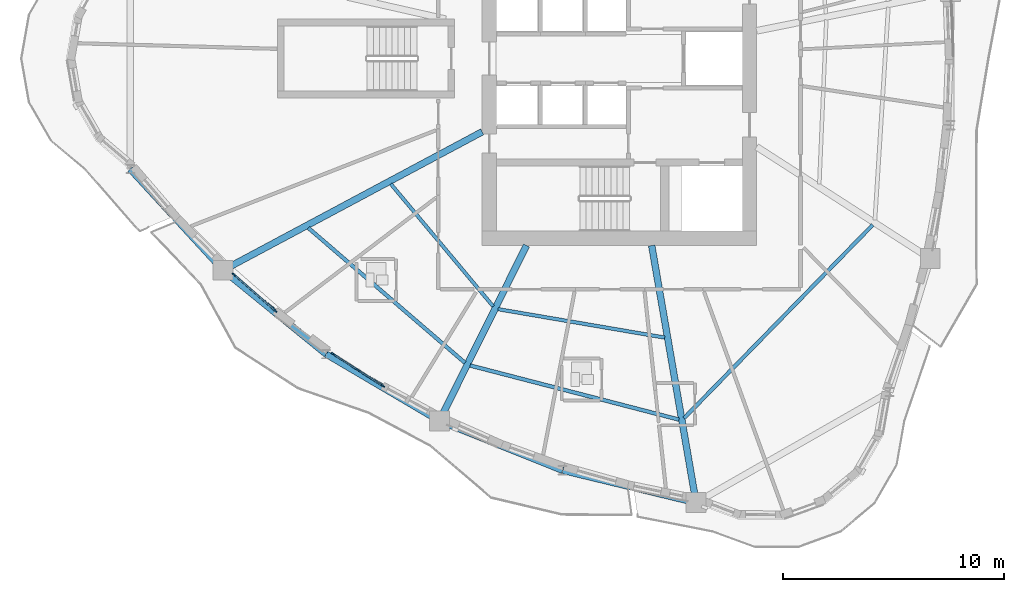
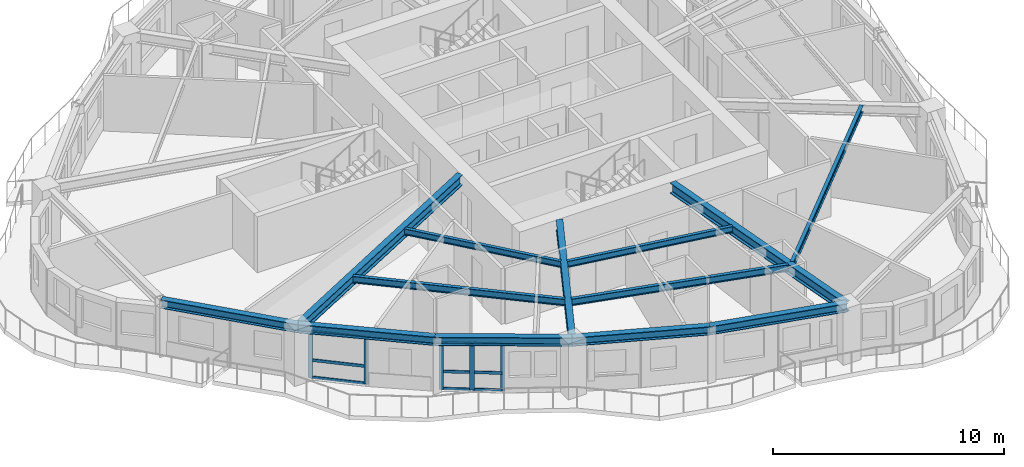
# One storey, part 2 of 15: 14 members, 13 beams, 2 elements without a shape of their own.
"""IFC4 building model written with IfcOpenShell, lengths in metres."""

from ifc_helpers import new_model, si_unit, direction, frame, origin, origin_2d, place, context, subcontext, project, spatial, rectangle, i_section, extrude, source, transform, mapped, material, layer, layer_set, material_profile, profile_set, type_object, element, aggregate, save


model = new_model("IFC4")

# Units and contexts
model_context = context("Model", 3, precision=1e-05, world=origin(), true_north=direction((0.0, 1.0)))
body_context = subcontext(model_context, "Body", "Model", "MODEL_VIEW")
ifc_project = project(units=[si_unit("LENGTHUNIT", "METRE"), si_unit("AREAUNIT", "SQUARE_METRE"), si_unit("VOLUMEUNIT", "CUBIC_METRE"), si_unit("PLANEANGLEUNIT", "RADIAN"), si_unit("MASSUNIT", "GRAM", prefix="KILO")], contexts=[model_context])

# Site, building, storey
site_placement = place(None, origin())
site = spatial("IfcSite", under=ifc_project, at=site_placement, CompositionType="ELEMENT")
building_placement = place(site_placement, origin())
building = spatial("IfcBuilding", under=site, at=building_placement, Name="Qafzar Sky-Pleat Residences", CompositionType="ELEMENT")
storey_placement = place(building_placement, frame((0.0, 0.0, 70.39990234375)))
storey = spatial("IfcBuildingStorey", under=building, at=storey_placement, Name="L20", CompositionType="ELEMENT", Elevation=70.39990234375)

# Beams
ifc_material_1 = material(Name="Steel S355", Category="steel")
ifc_material_profile_1 = material_profile(ifc_material_1, i_section(OverallWidth=0.300048828125, OverallDepth=0.449951171875, WebThickness=0.013916015625, FlangeThickness=0.02587890625, FilletRadius=0.027099609375, at=origin_2d()), Name="HEB 450")
ifc_profile_set_1 = profile_set([ifc_material_profile_1], Name="Steel S355")
beam_type_1 = type_object("IfcBeamType", Name="BM-SPAN-HEB450", PredefinedType="SPANDREL", material=ifc_profile_set_1)
shared_shape_1 = source(origin(), body_context, "Body", "SweptSolid", [
    extrude(i_section(OverallWidth=0.300048828125, OverallDepth=0.449951171875, WebThickness=0.013916015625, FlangeThickness=0.02587890625, FilletRadius=0.027099609375, at=origin_2d()), origin(), (0.0, 0.0, 1.0), 6.20166015625),
])
beam_1_placement = place(storey_placement, frame((8.255859375, 21.00341796875, 2.72314453125), z_axis=(0.676513948363, -0.736429818564, 0.0), x_axis=(0.736429818564, 0.676513948363, 0.0)))
element("IfcBeam", 1, at=beam_1_placement, inside=storey, type_object=beam_type_1, Name="L20 Perimeter Spandrel Beam 2", PredefinedType="SPANDREL", context=body_context, shape_type="MappedRepresentation", body=[
    mapped(shared_shape_1, transform((0.0, 0.0, 0.0), x_axis=(1.0, 0.0, 0.0), y_axis=(0.0, 1.0, 0.0), z_axis=(0.0, 0.0, 1.0), scale=1.0)),
])
shared_shape_2 = source(origin(), body_context, "Body", "SweptSolid", [
    extrude(i_section(OverallWidth=0.300048828125, OverallDepth=0.449951171875, WebThickness=0.013916015625, FlangeThickness=0.02587890625, FilletRadius=0.027099609375, at=origin_2d()), origin(), (0.0, 0.0, 1.0), 6.002197265625),
])
for number, where, z_axis, x_axis, name in (
    (2, (12.451416015625, 16.436279296875, 2.72314453125), (0.775354482876, -0.631526266978, 0.0), (0.631526266978, 0.775354482876, 0.0), "L20 Perimeter Spandrel Beam 3"),
    (3, (22.217041015625, 9.632568359375, 2.72314453125), (0.927979334947, -0.372631659834, 0.0), (0.372631659834, 0.927979334947, 0.0), "L20 Perimeter Spandrel Beam 5"),
):
    element("IfcBeam", number, at=place(storey_placement, frame(where, z_axis=z_axis, x_axis=x_axis)), inside=storey, type_object=beam_type_1, Name=name, PredefinedType="SPANDREL", context=body_context, shape_type="MappedRepresentation", body=[
        mapped(shared_shape_2, transform((0.0, 0.0, 0.0), x_axis=(1.0, 0.0, 0.0), y_axis=(0.0, 1.0, 0.0), z_axis=(0.0, 0.0, 1.0), scale=1.0)),
    ])
shared_shape_3 = source(origin(), body_context, "Body", "SweptSolid", [
    extrude(i_section(OverallWidth=0.300048828125, OverallDepth=0.449951171875, WebThickness=0.013916015625, FlangeThickness=0.02587890625, FilletRadius=0.027099609375, at=origin_2d()), origin(), (0.0, 0.0, 1.0), 5.933837890625),
])
beam_2_placement = place(storey_placement, frame((17.105224609375, 12.645751953125, 2.72314453125), z_axis=(0.861474825081, -0.507800281362, 0.0), x_axis=(0.507800281362, 0.861474825081, 0.0)))
element("IfcBeam", 4, at=beam_2_placement, inside=storey, type_object=beam_type_1, Name="L20 Perimeter Spandrel Beam 4", PredefinedType="SPANDREL", context=body_context, shape_type="MappedRepresentation", body=[
    mapped(shared_shape_3, transform((0.0, 0.0, 0.0), x_axis=(1.0, 0.0, 0.0), y_axis=(0.0, 1.0, 0.0), z_axis=(0.0, 0.0, 1.0), scale=1.0)),
])
shared_shape_4 = source(origin(), body_context, "Body", "SweptSolid", [
    extrude(i_section(OverallWidth=0.300048828125, OverallDepth=0.449951171875, WebThickness=0.013916015625, FlangeThickness=0.02587890625, FilletRadius=0.027099609375, at=origin_2d()), origin(), (0.0, 0.0, 1.0), 6.201904296875),
])
beam_3_placement = place(storey_placement, frame((27.786865234375, 7.39599609375, 2.72314453125), z_axis=(0.971926258737, -0.235285672275, 0.0), x_axis=(0.235285672275, 0.971926258737, 0.0)))
element("IfcBeam", 5, at=beam_3_placement, inside=storey, type_object=beam_type_1, Name="L20 Perimeter Spandrel Beam 6", PredefinedType="SPANDREL", context=body_context, shape_type="MappedRepresentation", body=[
    mapped(shared_shape_4, transform((0.0, 0.0, 0.0), x_axis=(1.0, 0.0, 0.0), y_axis=(0.0, 1.0, 0.0), z_axis=(0.0, 0.0, 1.0), scale=1.0)),
])
ifc_material_profile_2 = material_profile(ifc_material_1, i_section(OverallWidth=0.300048828125, OverallDepth=0.550048828125, WebThickness=0.014892578125, FlangeThickness=0.029052734375, FilletRadius=0.027099609375, at=origin_2d()), Name="HEB 550")
ifc_profile_set_2 = profile_set([ifc_material_profile_2], Name="Steel S355")
beam_type_2 = type_object("IfcBeamType", Name="BM-GIRD-HEB550", PredefinedType="BEAM", material=ifc_profile_set_2)
shared_shape_5 = source(origin(), body_context, "Body", "SweptSolid", [
    extrude(i_section(OverallWidth=0.300048828125, OverallDepth=0.550048828125, WebThickness=0.014892578125, FlangeThickness=0.029052734375, FilletRadius=0.027099609375, at=origin_2d()), origin(), (0.0, 0.0, 1.0), 13.263671875),
])
beam_4_placement = place(storey_placement, frame((12.451416015625, 16.436279296875, 2.673095703125), z_axis=(0.881991426805, 0.471265448598, 0.0), x_axis=(-0.471265448598, 0.881991426805, 0.0)))
element("IfcBeam", 6, at=beam_4_placement, inside=storey, type_object=beam_type_2, Name="L20 Radial Floor Girder 3", PredefinedType="BEAM", context=body_context, shape_type="MappedRepresentation", body=[
    mapped(shared_shape_5, transform((0.0, 0.0, 0.0), x_axis=(1.0, 0.0, 0.0), y_axis=(0.0, 1.0, 0.0), z_axis=(0.0, 0.0, 1.0), scale=1.0)),
])
shared_shape_6 = source(origin(), body_context, "Body", "SweptSolid", [
    extrude(i_section(OverallWidth=0.300048828125, OverallDepth=0.550048828125, WebThickness=0.014892578125, FlangeThickness=0.029052734375, FilletRadius=0.027099609375, at=origin_2d()), origin(), (0.0, 0.0, 1.0), 8.841064453125),
])
beam_5_placement = place(storey_placement, frame((22.217041015625, 9.632568359375, 2.673095703125), z_axis=(0.444980947877, 0.895540035971, 0.0), x_axis=(-0.895540035971, 0.444980947877, 0.0)))
element("IfcBeam", 7, at=beam_5_placement, inside=storey, type_object=beam_type_2, Name="L20 Radial Floor Girder 5", PredefinedType="BEAM", context=body_context, shape_type="MappedRepresentation", body=[
    mapped(shared_shape_6, transform((0.0, 0.0, 0.0), x_axis=(1.0, 0.0, 0.0), y_axis=(0.0, 1.0, 0.0), z_axis=(0.0, 0.0, 1.0), scale=1.0)),
])
shared_shape_7 = source(origin(), body_context, "Body", "SweptSolid", [
    extrude(i_section(OverallWidth=0.300048828125, OverallDepth=0.550048828125, WebThickness=0.014892578125, FlangeThickness=0.029052734375, FilletRadius=0.027099609375, at=origin_2d()), origin(), (0.0, 0.0, 1.0), 11.78515625),
])
beam_6_placement = place(storey_placement, frame((33.814697265625, 5.936767578125, 2.673095703125), z_axis=(-0.170180928842, 0.985412833009, 0.0), x_axis=(-0.985412833009, -0.170180928842, 0.0)))
element("IfcBeam", 8, at=beam_6_placement, inside=storey, type_object=beam_type_2, Name="L20 Radial Floor Girder 7", PredefinedType="BEAM", context=body_context, shape_type="MappedRepresentation", body=[
    mapped(shared_shape_7, transform((0.0, 0.0, 0.0), x_axis=(1.0, 0.0, 0.0), y_axis=(0.0, 1.0, 0.0), z_axis=(0.0, 0.0, 1.0), scale=1.0)),
])
ifc_material_profile_3 = material_profile(ifc_material_1, i_section(OverallWidth=0.169921875, OverallDepth=0.360107421875, WebThickness=0.008056640625, FlangeThickness=0.0126953125, FilletRadius=0.01806640625, at=origin_2d()), Name="IPE 360")
ifc_profile_set_3 = profile_set([ifc_material_profile_3], Name="Steel S355")
beam_type_3 = type_object("IfcBeamType", Name="BM-JST-IPE360", PredefinedType="JOIST", material=ifc_profile_set_3)
shared_shape_8 = source(origin(), body_context, "Body", "SweptSolid", [
    extrude(i_section(OverallWidth=0.169921875, OverallDepth=0.360107421875, WebThickness=0.008056640625, FlangeThickness=0.0126953125, FilletRadius=0.01806640625, at=origin_2d()), origin(), (0.0, 0.0, 1.0), 9.3388671875),
])
beam_7_placement = place(storey_placement, frame((16.29736328125, 18.348388671875, 2.76806640625), z_axis=(0.757733971928, -0.652563581413, 0.0), x_axis=(0.652563581413, 0.757733971928, 0.0)))
element("IfcBeam", 9, at=beam_7_placement, inside=storey, type_object=beam_type_3, Name="L20 Outer Secondary Floor Joist 2", PredefinedType="JOIST", context=body_context, shape_type="MappedRepresentation", body=[
    mapped(shared_shape_8, transform((0.0, 0.0, 0.0), x_axis=(1.0, 0.0, 0.0), y_axis=(0.0, 1.0, 0.0), z_axis=(0.0, 0.0, 1.0), scale=1.0)),
])
shared_shape_9 = source(origin(), body_context, "Body", "SweptSolid", [
    extrude(i_section(OverallWidth=0.169921875, OverallDepth=0.360107421875, WebThickness=0.008056640625, FlangeThickness=0.0126953125, FilletRadius=0.01806640625, at=origin_2d()), origin(), (0.0, 0.0, 1.0), 9.747314453125),
])
beam_8_placement = place(storey_placement, frame((23.606689453125, 12.132080078125, 2.76806640625), z_axis=(0.968020331334, -0.25087175633, 0.0), x_axis=(0.25087175633, 0.968020331334, 0.0)))
element("IfcBeam", 10, at=beam_8_placement, inside=storey, type_object=beam_type_3, Name="L20 Outer Secondary Floor Joist 3", PredefinedType="JOIST", context=body_context, shape_type="MappedRepresentation", body=[
    mapped(shared_shape_9, transform((0.0, 0.0, 0.0), x_axis=(1.0, 0.0, 0.0), y_axis=(0.0, 1.0, 0.0), z_axis=(0.0, 0.0, 1.0), scale=1.0)),
])
shared_shape_10 = source(origin(), body_context, "Body", "SweptSolid", [
    extrude(i_section(OverallWidth=0.169921875, OverallDepth=0.360107421875, WebThickness=0.008056640625, FlangeThickness=0.0126953125, FilletRadius=0.01806640625, at=origin_2d()), origin(), (0.0, 0.0, 1.0), 12.19873046875),
])
beam_9_placement = place(storey_placement, frame((33.26708984375, 9.74951171875, 2.76806640625), z_axis=(0.698529648879, 0.715581113248, 0.0), x_axis=(-0.715581113248, 0.698529648879, 0.0)))
element("IfcBeam", 11, at=beam_9_placement, inside=storey, type_object=beam_type_3, Name="L20 Outer Secondary Floor Joist 4", PredefinedType="JOIST", context=body_context, shape_type="MappedRepresentation", body=[
    mapped(shared_shape_10, transform((0.0, 0.0, 0.0), x_axis=(1.0, 0.0, 0.0), y_axis=(0.0, 1.0, 0.0), z_axis=(0.0, 0.0, 1.0), scale=1.0)),
])
ifc_material_profile_4 = material_profile(ifc_material_1, i_section(OverallWidth=0.159912109375, OverallDepth=0.330078125, WebThickness=0.007568359375, FlangeThickness=0.011474609375, FilletRadius=0.01806640625, at=origin_2d()), Name="IPE 330")
ifc_profile_set_4 = profile_set([ifc_material_profile_4], Name="Steel S355")
beam_type_4 = type_object("IfcBeamType", Name="BM-JST-IPE330", PredefinedType="JOIST", material=ifc_profile_set_4)
shared_shape_11 = source(origin(), body_context, "Body", "SweptSolid", [
    extrude(i_section(OverallWidth=0.159912109375, OverallDepth=0.330078125, WebThickness=0.007568359375, FlangeThickness=0.011474609375, FilletRadius=0.01806640625, at=origin_2d()), origin(), (0.0, 0.0, 1.0), 7.2080078125),
])
beam_10_placement = place(storey_placement, frame((20.025146484375, 20.333251953125, 2.783203125), z_axis=(0.641386322743, -0.767218081772, 0.0), x_axis=(0.767218081772, 0.641386322743, 0.0)))
element("IfcBeam", 12, at=beam_10_placement, inside=storey, type_object=beam_type_4, Name="L20 Inner Secondary Floor Joist 2", PredefinedType="JOIST", context=body_context, shape_type="MappedRepresentation", body=[
    mapped(shared_shape_11, transform((0.0, 0.0, 0.0), x_axis=(1.0, 0.0, 0.0), y_axis=(0.0, 1.0, 0.0), z_axis=(0.0, 0.0, 1.0), scale=1.0)),
])
shared_shape_12 = source(origin(), body_context, "Body", "SweptSolid", [
    extrude(i_section(OverallWidth=0.159912109375, OverallDepth=0.330078125, WebThickness=0.007568359375, FlangeThickness=0.011474609375, FilletRadius=0.01806640625, at=origin_2d()), origin(), (0.0, 0.0, 1.0), 7.63916015625),
])
beam_11_placement = place(storey_placement, frame((24.867919921875, 14.677001953125, 2.783203125), z_axis=(0.985747285865, -0.168232839865, 0.0), x_axis=(0.168232839865, 0.985747285865, 0.0)))
element("IfcBeam", 13, at=beam_11_placement, inside=storey, type_object=beam_type_4, Name="L20 Inner Secondary Floor Joist 3", PredefinedType="JOIST", context=body_context, shape_type="MappedRepresentation", body=[
    mapped(shared_shape_12, transform((0.0, 0.0, 0.0), x_axis=(1.0, 0.0, 0.0), y_axis=(0.0, 1.0, 0.0), z_axis=(0.0, 0.0, 1.0), scale=1.0)),
])

# Curtain wall, members
ifc_material_2 = material(Name="Anodised bronze aluminium framing", Category="aluminium")
ifc_layer = layer(ifc_material_2, 0.199951171875)
ifc_layer_set = layer_set([ifc_layer], Name="Anodised bronze aluminium framing")
curtain_wall_type = type_object("IfcCurtainWallType", Name="CW-SYS-04", PredefinedType="NOTDEFINED", material=ifc_layer_set)
curtain_wall_1_placement = place(storey_placement, origin())
curtain_wall_1 = element("IfcCurtainWall", 14, at=curtain_wall_1_placement, inside=storey, type_object=curtain_wall_type, Name="L20 CW-04 Curtain Wall CW-L20-WG-01", PredefinedType="NOTDEFINED")
ifc_material_3 = material(Name="Anodised bronze aluminium", Category="aluminium")
ifc_material_profile_5 = material_profile(ifc_material_3, rectangle(XDim=0.06494140625, YDim=0.199951171875, at=origin_2d()), Name="ALU MULLION 65x200")
ifc_profile_set_5 = profile_set([ifc_material_profile_5], Name="Anodised bronze aluminium")
member_type_1 = type_object("IfcMemberType", Name="CWM-04", PredefinedType="MULLION", material=ifc_profile_set_5)
shared_shape_13 = source(origin(), body_context, "Body", "SweptSolid", [
    extrude(rectangle(XDim=0.06494140625, YDim=0.199951171875, at=origin_2d()), origin(), (0.0, 0.0, 1.0), 2.47998046875),
])
member_1_placement = place(storey_placement, frame((12.944580078125, 16.236328125, 0.0), z_axis=(0.0, 0.0, 1.0), x_axis=(0.659726592573, 0.751505703938, 0.0)))
member_1 = element("IfcMember", 15, at=member_1_placement, type_object=member_type_1, Name="CW-04 mullion 1", PredefinedType="MULLION", context=body_context, shape_type="MappedRepresentation", body=[
    mapped(shared_shape_13, transform((0.0, 0.0, 0.0), x_axis=(1.0, 0.0, 0.0), y_axis=(0.0, 1.0, 0.0), z_axis=(0.0, 0.0, 1.0), scale=1.0)),
])
member_2_placement = place(storey_placement, frame((14.797119140625, 14.610107421875, 0.0), z_axis=(0.0, 0.0, 1.0), x_axis=(0.659726592573, 0.751505703938, 0.0)))
member_2 = element("IfcMember", 16, at=member_2_placement, type_object=member_type_1, Name="CW-04 mullion 2", PredefinedType="MULLION", context=body_context, shape_type="MappedRepresentation", body=[
    mapped(shared_shape_13, transform((0.0, 0.0, 0.0), x_axis=(1.0, 0.0, 0.0), y_axis=(0.0, 1.0, 0.0), z_axis=(0.0, 0.0, 1.0), scale=1.0)),
])

curtain_wall_2_placement = place(storey_placement, origin())
curtain_wall_2 = element("IfcCurtainWall", 17, at=curtain_wall_2_placement, inside=storey, type_object=curtain_wall_type, Name="L20 CW-04 Curtain Wall CW-L20-WG-02", PredefinedType="NOTDEFINED")
member_3_placement = place(storey_placement, frame((17.4189453125, 12.65234375, 0.0), z_axis=(0.0, 0.0, 1.0), x_axis=(0.540148225741, 0.841569898599, 0.0)))
member_3 = element("IfcMember", 18, at=member_3_placement, type_object=member_type_1, Name="CW-04 mullion 1", PredefinedType="MULLION", context=body_context, shape_type="MappedRepresentation", body=[
    mapped(shared_shape_13, transform((0.0, 0.0, 0.0), x_axis=(1.0, 0.0, 0.0), y_axis=(0.0, 1.0, 0.0), z_axis=(0.0, 0.0, 1.0), scale=1.0)),
])
member_4_placement = place(storey_placement, frame((18.53662109375, 11.93505859375, 0.0), z_axis=(0.0, 0.0, 1.0), x_axis=(0.540148225741, 0.841569898599, 0.0)))
member_4 = element("IfcMember", 19, at=member_4_placement, type_object=member_type_1, Name="CW-04 mullion 2", PredefinedType="MULLION", context=body_context, shape_type="MappedRepresentation", body=[
    mapped(shared_shape_13, transform((0.0, 0.0, 0.0), x_axis=(1.0, 0.0, 0.0), y_axis=(0.0, 1.0, 0.0), z_axis=(0.0, 0.0, 1.0), scale=1.0)),
])
member_5_placement = place(storey_placement, frame((19.654296875, 11.2177734375, 0.0), z_axis=(0.0, 0.0, 1.0), x_axis=(0.540148225741, 0.841569898599, 0.0)))
member_5 = element("IfcMember", 20, at=member_5_placement, type_object=member_type_1, Name="CW-04 mullion 3", PredefinedType="MULLION", context=body_context, shape_type="MappedRepresentation", body=[
    mapped(shared_shape_13, transform((0.0, 0.0, 0.0), x_axis=(1.0, 0.0, 0.0), y_axis=(0.0, 1.0, 0.0), z_axis=(0.0, 0.0, 1.0), scale=1.0)),
])

# Member
ifc_material_profile_6 = material_profile(ifc_material_3, rectangle(XDim=0.06494140625, YDim=0.14990234375, at=origin_2d()), Name="ALU TRANSOM 65x150")
ifc_profile_set_6 = profile_set([ifc_material_profile_6], Name="Anodised bronze aluminium")
member_type_2 = type_object("IfcMemberType", Name="CWT-04", PredefinedType="USERDEFINED", material=ifc_profile_set_6)
shared_shape_14 = source(origin(), body_context, "Body", "SweptSolid", [
    extrude(rectangle(XDim=0.06494140625, YDim=0.14990234375, at=origin_2d()), origin(), (0.0, 0.0, 1.0), 2.39990234375),
])
member_6_placement = place(storey_placement, frame((12.968994140625, 16.21484375, 0.03271484375), z_axis=(0.751542316657, -0.659684884072, 0.0), x_axis=(0.659684884072, 0.751542316657, 0.0)))
member_6 = element("IfcMember", 21, at=member_6_placement, type_object=member_type_2, Name="CW-04 transom 1.1", ObjectType="TRANSOM", PredefinedType="USERDEFINED", context=body_context, shape_type="MappedRepresentation", body=[
    mapped(shared_shape_14, transform((0.0, 0.0, 0.0), x_axis=(1.0, 0.0, 0.0), y_axis=(0.0, 1.0, 0.0), z_axis=(0.0, 0.0, 1.0), scale=1.0)),
])

member_7_placement = place(storey_placement, frame((12.968994140625, 16.21484375, 0.9423828125), z_axis=(0.751542316657, -0.659684884072, 0.0), x_axis=(0.659684884072, 0.751542316657, 0.0)))
member_7 = element("IfcMember", 22, at=member_7_placement, type_object=member_type_2, Name="CW-04 transom 1.2", ObjectType="TRANSOM", PredefinedType="USERDEFINED", context=body_context, shape_type="MappedRepresentation", body=[
    mapped(shared_shape_14, transform((0.0, 0.0, 0.0), x_axis=(1.0, 0.0, 0.0), y_axis=(0.0, 1.0, 0.0), z_axis=(0.0, 0.0, 1.0), scale=1.0)),
])

member_8_placement = place(storey_placement, frame((12.968994140625, 16.21484375, 2.447509765625), z_axis=(0.751542316657, -0.659684884072, 0.0), x_axis=(0.659684884072, 0.751542316657, 0.0)))
member_8 = element("IfcMember", 23, at=member_8_placement, type_object=member_type_2, Name="CW-04 transom 1.3", ObjectType="TRANSOM", PredefinedType="USERDEFINED", context=body_context, shape_type="MappedRepresentation", body=[
    mapped(shared_shape_14, transform((0.0, 0.0, 0.0), x_axis=(1.0, 0.0, 0.0), y_axis=(0.0, 1.0, 0.0), z_axis=(0.0, 0.0, 1.0), scale=1.0)),
])

aggregate(curtain_wall_1, [member_1, member_2, member_6, member_7, member_8])

shared_shape_15 = source(origin(), body_context, "Body", "SweptSolid", [
    extrude(rectangle(XDim=0.06494140625, YDim=0.14990234375, at=origin_2d()), origin(), (0.0, 0.0, 1.0), 1.262939453125),
])
member_9_placement = place(storey_placement, frame((17.4462890625, 12.634765625, 0.03271484375), z_axis=(0.841617827348, -0.540073543778, 0.0), x_axis=(0.540073543778, 0.841617827348, 0.0)))
member_9 = element("IfcMember", 24, at=member_9_placement, type_object=member_type_2, Name="CW-04 transom 1.1", ObjectType="TRANSOM", PredefinedType="USERDEFINED", context=body_context, shape_type="MappedRepresentation", body=[
    mapped(shared_shape_15, transform((0.0, 0.0, 0.0), x_axis=(1.0, 0.0, 0.0), y_axis=(0.0, 1.0, 0.0), z_axis=(0.0, 0.0, 1.0), scale=1.0)),
])

member_10_placement = place(storey_placement, frame((17.4462890625, 12.634765625, 0.9423828125), z_axis=(0.841617827348, -0.540073543778, 0.0), x_axis=(0.540073543778, 0.841617827348, 0.0)))
member_10 = element("IfcMember", 25, at=member_10_placement, type_object=member_type_2, Name="CW-04 transom 1.2", ObjectType="TRANSOM", PredefinedType="USERDEFINED", context=body_context, shape_type="MappedRepresentation", body=[
    mapped(shared_shape_15, transform((0.0, 0.0, 0.0), x_axis=(1.0, 0.0, 0.0), y_axis=(0.0, 1.0, 0.0), z_axis=(0.0, 0.0, 1.0), scale=1.0)),
])

member_11_placement = place(storey_placement, frame((17.4462890625, 12.634765625, 2.447509765625), z_axis=(0.841617827348, -0.540073543778, 0.0), x_axis=(0.540073543778, 0.841617827348, 0.0)))
member_11 = element("IfcMember", 26, at=member_11_placement, type_object=member_type_2, Name="CW-04 transom 1.3", ObjectType="TRANSOM", PredefinedType="USERDEFINED", context=body_context, shape_type="MappedRepresentation", body=[
    mapped(shared_shape_15, transform((0.0, 0.0, 0.0), x_axis=(1.0, 0.0, 0.0), y_axis=(0.0, 1.0, 0.0), z_axis=(0.0, 0.0, 1.0), scale=1.0)),
])

shared_shape_16 = source(origin(), body_context, "Body", "SweptSolid", [
    extrude(rectangle(XDim=0.06494140625, YDim=0.14990234375, at=origin_2d()), origin(), (0.0, 0.0, 1.0), 1.26318359375),
])
member_12_placement = place(storey_placement, frame((18.56396484375, 11.91748046875, 0.03271484375), z_axis=(0.841529964752, -0.540210439018, 0.0), x_axis=(0.540210439018, 0.841529964752, 0.0)))
member_12 = element("IfcMember", 27, at=member_12_placement, type_object=member_type_2, Name="CW-04 transom 2.1", ObjectType="TRANSOM", PredefinedType="USERDEFINED", context=body_context, shape_type="MappedRepresentation", body=[
    mapped(shared_shape_16, transform((0.0, 0.0, 0.0), x_axis=(1.0, 0.0, 0.0), y_axis=(0.0, 1.0, 0.0), z_axis=(0.0, 0.0, 1.0), scale=1.0)),
])

member_13_placement = place(storey_placement, frame((18.56396484375, 11.91748046875, 0.9423828125), z_axis=(0.841529964752, -0.540210439018, 0.0), x_axis=(0.540210439018, 0.841529964752, 0.0)))
member_13 = element("IfcMember", 28, at=member_13_placement, type_object=member_type_2, Name="CW-04 transom 2.2", ObjectType="TRANSOM", PredefinedType="USERDEFINED", context=body_context, shape_type="MappedRepresentation", body=[
    mapped(shared_shape_16, transform((0.0, 0.0, 0.0), x_axis=(1.0, 0.0, 0.0), y_axis=(0.0, 1.0, 0.0), z_axis=(0.0, 0.0, 1.0), scale=1.0)),
])

member_14_placement = place(storey_placement, frame((18.56396484375, 11.91748046875, 2.447509765625), z_axis=(0.841529964752, -0.540210439018, 0.0), x_axis=(0.540210439018, 0.841529964752, 0.0)))
member_14 = element("IfcMember", 29, at=member_14_placement, type_object=member_type_2, Name="CW-04 transom 2.3", ObjectType="TRANSOM", PredefinedType="USERDEFINED", context=body_context, shape_type="MappedRepresentation", body=[
    mapped(shared_shape_16, transform((0.0, 0.0, 0.0), x_axis=(1.0, 0.0, 0.0), y_axis=(0.0, 1.0, 0.0), z_axis=(0.0, 0.0, 1.0), scale=1.0)),
])

aggregate(curtain_wall_2, [member_3, member_4, member_5, member_9, member_10, member_11, member_12, member_13, member_14])

save(model, "model.ifc")
